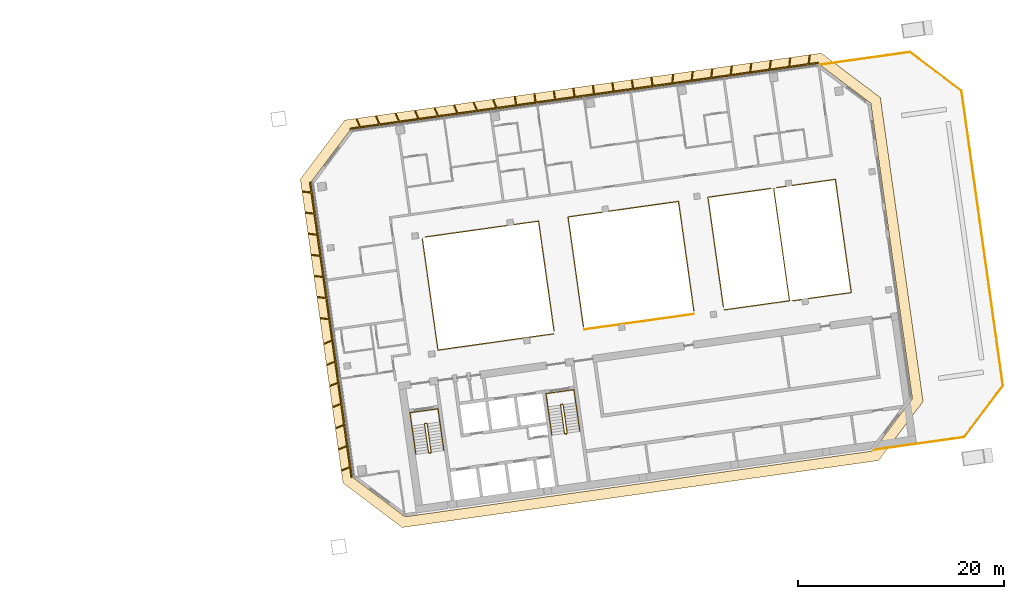
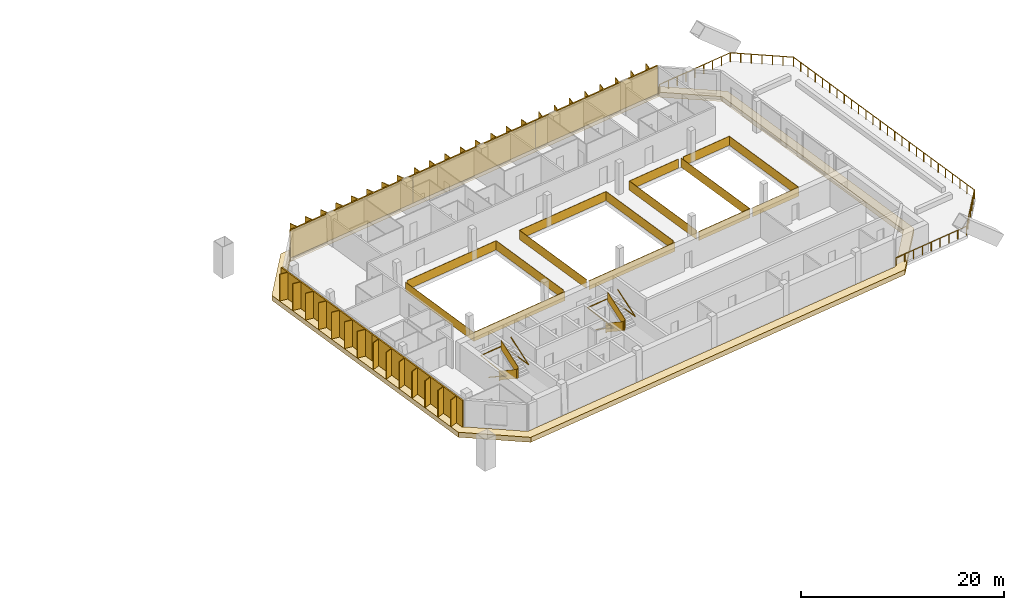
# One storey, part 23 of 23: 12 railings, 5 shading devices, 1 covering.
"""IFC4 building model written with IfcOpenShell, lengths in metres."""

from ifc_helpers import new_model, si_unit, direction, frame, origin, origin_2d, place, context, subcontext, project, spatial, polyline, rectangle, outline, extrude, material, layer, layer_set, type_object, element, save


model = new_model("IFC4")

# Units and contexts
model_context = context("Model", 3, precision=1e-05, world=origin(), true_north=direction((0.0, 1.0)))
body_context = subcontext(model_context, "Body", "Model", "MODEL_VIEW")
ifc_project = project(units=[si_unit("LENGTHUNIT", "METRE"), si_unit("AREAUNIT", "SQUARE_METRE"), si_unit("VOLUMEUNIT", "CUBIC_METRE"), si_unit("PLANEANGLEUNIT", "RADIAN"), si_unit("MASSUNIT", "GRAM", prefix="KILO")], contexts=[model_context])

# Site, building, storey
site_placement = place(None, origin())
site = spatial("IfcSite", under=ifc_project, at=site_placement, CompositionType="ELEMENT")
building_placement = place(site_placement, origin())
building = spatial("IfcBuilding", under=site, at=building_placement, Name="Mirante Cascada Hotel Towers", CompositionType="ELEMENT")
storey_placement = place(building_placement, frame((0.0, 0.0, 180.2)))
storey = spatial("IfcBuildingStorey", under=building, at=storey_placement, Name="L42", CompositionType="ELEMENT", Elevation=180.2)

# Railings
ifc_material_1 = material(Name="Toughened glass with stainless steel handrail", Category="steel")
railing_type_1 = type_object("IfcRailingType", Name="Atrium guard 1100 glass balustrade", PredefinedType="GUARDRAIL", material=ifc_material_1)
railing_1_placement = place(storey_placement, frame((37.864, 6.7125, 0.0)))
element("IfcRailing", 1, at=railing_1_placement, inside=storey, type_object=railing_type_1, Name="GUARD 2-L42-1", PredefinedType="GUARDRAIL", context=body_context, shape_type="SweptSolid", body=[
    extrude(rectangle(XDim=0.048, YDim=0.048, at=origin_2d()), frame((0.0, 0.0, 1.076), z_axis=(0.1391712, -0.9902683, 0.0), x_axis=(0.9902683, 0.1391712, 0.0)), (0.0, 0.0, 1.0), 10.9333),
    extrude(rectangle(XDim=0.02, YDim=1.052, at=origin_2d()), frame((0.0, 0.0, 0.526), z_axis=(0.1391712, -0.9902683, 0.0), x_axis=(0.9902683, 0.1391712, 0.0)), (0.0, 0.0, 1.0), 10.9333),
    extrude(rectangle(XDim=0.048, YDim=0.048, at=origin_2d()), frame((1.5216, -10.8269, 1.076), z_axis=(0.9902672, 0.1391796, 0.0), x_axis=(-0.1391796, 0.9902672, 0.0)), (0.0, 0.0, 1.0), 11.368),
    extrude(rectangle(XDim=0.02, YDim=1.052, at=origin_2d()), frame((1.5216, -10.8269, 0.526), z_axis=(0.9902672, 0.1391796, 0.0), x_axis=(-0.1391796, 0.9902672, 0.0)), (0.0, 0.0, 1.0), 11.368),
])
railing_2_placement = place(storey_placement, frame((53.6138, -2.1147, 0.0)))
element("IfcRailing", 2, at=railing_2_placement, inside=storey, type_object=railing_type_1, Name="GUARD 2-L42-2", PredefinedType="GUARDRAIL", context=body_context, shape_type="SweptSolid", body=[
    extrude(rectangle(XDim=0.048, YDim=0.048, at=origin_2d()), frame((0.0, 0.0, 1.076), z_axis=(0.9902681, 0.1391731, 0.0), x_axis=(-0.1391731, 0.9902681, 0.0)), (0.0, 0.0, 1.0), 10.737),
    extrude(rectangle(XDim=0.02, YDim=1.052, at=origin_2d()), frame((0.0, 0.0, 0.526), z_axis=(0.9902681, 0.1391731, 0.0), x_axis=(-0.1391731, 0.9902681, 0.0)), (0.0, 0.0, 1.0), 10.737),
])
railing_3_placement = place(storey_placement, frame((67.2171, -0.2029, 0.0)))
element("IfcRailing", 3, at=railing_3_placement, inside=storey, type_object=railing_type_1, Name="GUARD 2-L42-3", PredefinedType="GUARDRAIL", context=body_context, shape_type="SweptSolid", body=[
    extrude(rectangle(XDim=0.048, YDim=0.048, at=origin_2d()), frame((0.0, 0.0, 1.076), z_axis=(0.9902681, 0.1391726, 0.0), x_axis=(-0.1391726, 0.9902681, 0.0)), (0.0, 0.0, 1.0), 6.3949),
    extrude(rectangle(XDim=0.02, YDim=1.052, at=origin_2d()), frame((0.0, 0.0, 0.526), z_axis=(0.9902681, 0.1391726, 0.0), x_axis=(-0.1391726, 0.9902681, 0.0)), (0.0, 0.0, 1.0), 6.3949),
    extrude(rectangle(XDim=0.048, YDim=0.048, at=origin_2d()), frame((6.3327, 0.89, 1.076), z_axis=(-0.1391721, 0.9902682, 0.0), x_axis=(-0.9902682, -0.1391721, 0.0)), (0.0, 0.0, 1.0), 11.0001),
    extrude(rectangle(XDim=0.02, YDim=1.052, at=origin_2d()), frame((6.3327, 0.89, 0.526), z_axis=(-0.1391721, 0.9902682, 0.0), x_axis=(-0.9902682, -0.1391721, 0.0)), (0.0, 0.0, 1.0), 11.0001),
    extrude(rectangle(XDim=0.048, YDim=0.048, at=origin_2d()), frame((4.8018, 11.783, 1.076), z_axis=(0.1393237, -0.9902469, 0.0), x_axis=(0.9902469, 0.1393237, 0.0)), (0.0, 0.0, 1.0), 0.0668),
    extrude(rectangle(XDim=0.02, YDim=1.052, at=origin_2d()), frame((4.8018, 11.783, 0.526), z_axis=(0.1393237, -0.9902469, 0.0), x_axis=(0.9902469, 0.1393237, 0.0)), (0.0, 0.0, 1.0), 0.0668),
])
railing_4_placement = place(storey_placement, frame((50.6504, -2.2326, 0.0)))
element("IfcRailing", 4, at=railing_4_placement, inside=storey, type_object=railing_type_1, Name="GUARD 2-L42-4", PredefinedType="GUARDRAIL", context=body_context, shape_type="SweptSolid", body=[
    extrude(rectangle(XDim=0.048, YDim=0.048, at=origin_2d()), frame((0.0, 0.0, 1.076), z_axis=(-0.1391715, 0.9902683, 0.0), x_axis=(-0.9902683, -0.1391715, 0.0)), (0.0, 0.0, 1.0), 10.7544),
    extrude(rectangle(XDim=0.02, YDim=1.052, at=origin_2d()), frame((0.0, 0.0, 0.526), z_axis=(-0.1391715, 0.9902683, 0.0), x_axis=(-0.9902683, -0.1391715, 0.0)), (0.0, 0.0, 1.0), 10.7544),
    extrude(rectangle(XDim=0.048, YDim=0.048, at=origin_2d()), frame((-1.4967, 10.6497, 1.076), z_axis=(-0.9902681, -0.1391729, 0.0), x_axis=(0.1391729, -0.9902681, 0.0)), (0.0, 0.0, 1.0), 11.1408),
    extrude(rectangle(XDim=0.02, YDim=1.052, at=origin_2d()), frame((-1.4967, 10.6497, 0.526), z_axis=(-0.9902681, -0.1391729, 0.0), x_axis=(0.1391729, -0.9902681, 0.0)), (0.0, 0.0, 1.0), 11.1408),
])
railing_5_placement = place(storey_placement, frame((64.2537, -0.3208, 0.0)))
element("IfcRailing", 5, at=railing_5_placement, inside=storey, type_object=railing_type_1, Name="GUARD 2-L42-5", PredefinedType="GUARDRAIL", context=body_context, shape_type="SweptSolid", body=[
    extrude(rectangle(XDim=0.048, YDim=0.048, at=origin_2d()), frame((0.0, 0.0, 1.076), z_axis=(-0.1391715, 0.9902683, 0.0), x_axis=(-0.9902683, -0.1391715, 0.0)), (0.0, 0.0, 1.0), 10.7544),
    extrude(rectangle(XDim=0.02, YDim=1.052, at=origin_2d()), frame((0.0, 0.0, 0.526), z_axis=(-0.1391715, 0.9902683, 0.0), x_axis=(-0.9902683, -0.1391715, 0.0)), (0.0, 0.0, 1.0), 10.7544),
    extrude(rectangle(XDim=0.048, YDim=0.048, at=origin_2d()), frame((-1.4967, 10.6497, 1.076), z_axis=(-0.9902688, -0.1391676, 0.0), x_axis=(0.1391676, -0.9902688, 0.0)), (0.0, 0.0, 1.0), 10.8351),
    extrude(rectangle(XDim=0.02, YDim=1.052, at=origin_2d()), frame((-1.4967, 10.6497, 0.526), z_axis=(-0.9902688, -0.1391676, 0.0), x_axis=(0.1391676, -0.9902688, 0.0)), (0.0, 0.0, 1.0), 10.8351),
    extrude(rectangle(XDim=0.048, YDim=0.048, at=origin_2d()), frame((-12.2264, 9.1418, 1.076), z_axis=(0.1391702, -0.9902685, 0.0), x_axis=(0.9902685, 0.1391702, 0.0)), (0.0, 0.0, 1.0), 10.7545),
    extrude(rectangle(XDim=0.02, YDim=1.052, at=origin_2d()), frame((-12.2264, 9.1418, 0.526), z_axis=(0.1391702, -0.9902685, 0.0), x_axis=(0.9902685, 0.1391702, 0.0)), (0.0, 0.0, 1.0), 10.7545),
])
railing_6_placement = place(storey_placement, frame((71.7194, 11.5884, 0.0)))
element("IfcRailing", 6, at=railing_6_placement, inside=storey, type_object=railing_type_1, Name="GUARD 2-L42-6", PredefinedType="GUARDRAIL", context=body_context, shape_type="SweptSolid", body=[
    extrude(rectangle(XDim=0.048, YDim=0.048, at=origin_2d()), frame((0.0, 0.0, 1.076), z_axis=(-0.9902706, -0.1391554, 0.0), x_axis=(0.1391554, -0.9902706, 0.0)), (0.0, 0.0, 1.0), 6.1485),
    extrude(rectangle(XDim=0.02, YDim=1.052, at=origin_2d()), frame((0.0, 0.0, 0.526), z_axis=(-0.9902706, -0.1391554, 0.0), x_axis=(0.1391554, -0.9902706, 0.0)), (0.0, 0.0, 1.0), 6.1485),
    extrude(rectangle(XDim=0.048, YDim=0.048, at=origin_2d()), frame((-6.0887, -0.8556, 1.076), z_axis=(0.1391715, -0.9902683, 0.0), x_axis=(0.9902683, 0.1391715, 0.0)), (0.0, 0.0, 1.0), 10.7544),
    extrude(rectangle(XDim=0.02, YDim=1.052, at=origin_2d()), frame((-6.0887, -0.8556, 0.526), z_axis=(0.1391715, -0.9902683, 0.0), x_axis=(0.9902683, 0.1391715, 0.0)), (0.0, 0.0, 1.0), 10.7544),
])
railing_7_placement = place(storey_placement, frame((73.8494, 0.6787, 0.0)))
element("IfcRailing", 7, at=railing_7_placement, inside=storey, type_object=railing_type_1, Name="GUARD 2-L42-7", PredefinedType="GUARDRAIL", context=body_context, shape_type="SweptSolid", body=[
    extrude(rectangle(XDim=0.048, YDim=0.048, at=origin_2d()), frame((0.0, 0.0, 1.076), z_axis=(0.9902677, 0.1391755, 0.0), x_axis=(-0.1391755, 0.9902677, 0.0)), (0.0, 0.0, 1.0), 5.7546),
    extrude(rectangle(XDim=0.02, YDim=1.052, at=origin_2d()), frame((0.0, 0.0, 0.526), z_axis=(0.9902677, 0.1391755, 0.0), x_axis=(-0.1391755, 0.9902677, 0.0)), (0.0, 0.0, 1.0), 5.7546),
    extrude(rectangle(XDim=0.048, YDim=0.048, at=origin_2d()), frame((5.6986, 0.8009, 1.076), z_axis=(-0.1391709, 0.9902684, 0.0), x_axis=(-0.9902684, -0.1391709, 0.0)), (0.0, 0.0, 1.0), 11.1),
    extrude(rectangle(XDim=0.02, YDim=1.052, at=origin_2d()), frame((5.6986, 0.8009, 0.526), z_axis=(-0.1391709, 0.9902684, 0.0), x_axis=(-0.9902684, -0.1391709, 0.0)), (0.0, 0.0, 1.0), 11.1),
    extrude(rectangle(XDim=0.048, YDim=0.048, at=origin_2d()), frame((4.1538, 11.7929, 1.076), z_axis=(-0.9902677, -0.1391755, 0.0), x_axis=(0.1391755, -0.9902677, 0.0)), (0.0, 0.0, 1.0), 5.7546),
    extrude(rectangle(XDim=0.02, YDim=1.052, at=origin_2d()), frame((4.1538, 11.7929, 0.526), z_axis=(-0.9902677, -0.1391755, 0.0), x_axis=(0.1391755, -0.9902677, 0.0)), (0.0, 0.0, 1.0), 5.7546),
])

# Covering
ifc_material_2 = material(Name="Precast concrete C40/50 white", Category="concrete")
ifc_layer = layer(ifc_material_2, 0.6)
ifc_layer_set = layer_set([ifc_layer], Name="Precast concrete SUNSHADE band 1000x600")
covering_type = type_object("IfcCoveringType", Name="Precast concrete SUNSHADE band 1000x600", PredefinedType="CLADDING", material=ifc_layer_set)
covering_placement = place(storey_placement, frame((0.0, 0.0, -0.45)))
element("IfcCovering", 8, at=covering_placement, inside=storey, type_object=covering_type, Name="Precast concrete SUNSHADE band T2 L42", PredefinedType="CLADDING", context=body_context, shape_type="SweptSolid", body=[
    extrude(outline(polyline([(25.9953, 12.498), (30.3238, 18.2421), (76.645, 24.7521), (82.3891, 20.4236), (86.5404, -9.1145), (82.2119, -14.8586), (35.8907, -21.3687), (30.1466, -17.0402), (25.9953, 12.498)]), holes=[polyline([(85.4925, -8.8435), (81.4565, 19.8742), (76.374, 23.7042), (30.8731, 17.3094), (27.0432, 12.2269), (31.0792, -16.4908), (36.1617, -20.3208), (81.6626, -13.926), (85.4925, -8.8435)])]), origin(), (0.0, 0.0, 1.0), 0.6),
])

# Railings
ifc_material_3 = material(Name="Painted steel", Category="steel")
railing_type_2 = type_object("IfcRailingType", Name="Stair guard 1100 steel balustrade", PredefinedType="GUARDRAIL", material=ifc_material_3)
railing_8_placement = place(storey_placement, frame((38.2663, -11.2395, 0.0)))
element("IfcRailing", 9, at=railing_8_placement, inside=storey, type_object=railing_type_2, Name="L42 ST2-A stair guard 1", PredefinedType="GUARDRAIL", context=body_context, shape_type="SweptSolid", body=[
    extrude(rectangle(XDim=0.048, YDim=0.048, at=origin_2d()), frame((0.0, 0.0, 1.076), z_axis=(-0.9903326, -0.1387133, 0.0), x_axis=(0.1387133, -0.9903326, 0.0)), (0.0, 0.0, 1.0), 0.1499),
    extrude(rectangle(XDim=0.02, YDim=1.052, at=origin_2d()), frame((0.0, 0.0, 0.526), z_axis=(-0.9903326, -0.1387133, 0.0), x_axis=(0.1387133, -0.9903326, 0.0)), (0.0, 0.0, 1.0), 0.1499),
    extrude(rectangle(XDim=0.048, YDim=0.048, at=origin_2d()), frame((-0.1485, -0.0208, 1.076), z_axis=(-0.6020331, -0.7984711, 0.0), x_axis=(0.7984711, -0.6020331, 0.0)), (0.0, 0.9253398, 0.3791387), 0.1866),
    extrude(rectangle(XDim=0.02, YDim=1.052, at=origin_2d()), frame((-0.1485, -0.0208, 0.526), z_axis=(-0.6020331, -0.7984711, 0.0), x_axis=(0.7984711, -0.6020331, 0.0)), (0.0, 0.9253398, 0.3791387), 0.1866),
    extrude(rectangle(XDim=0.048, YDim=0.048, at=origin_2d()), frame((-0.1911, -0.0773, 1.2487), z_axis=(0.139176, -0.9902677, 0.0), x_axis=(0.9902677, 0.139176, 0.0)), (0.0, 0.5250212, 0.8510891), 3.29),
    extrude(rectangle(XDim=0.02, YDim=1.052, at=origin_2d()), frame((-0.1911, -0.0773, 0.6987), z_axis=(0.139176, -0.9902677, 0.0), x_axis=(0.9902677, 0.139176, 0.0)), (0.0, 0.5250212, 0.8510891), 3.29),
    extrude(rectangle(XDim=0.048, YDim=0.048, at=origin_2d()), frame((0.1986, -2.8501, 2.976), z_axis=(0.9944948, -0.1047858, 0.0), x_axis=(0.1047858, 0.9944948, 0.0)), (0.0, 0.0, 1.0), 0.2061),
    extrude(rectangle(XDim=0.02, YDim=1.052, at=origin_2d()), frame((0.1986, -2.8501, 2.426), z_axis=(0.9944948, -0.1047858, 0.0), x_axis=(0.1047858, 0.9944948, 0.0)), (0.0, 0.0, 1.0), 0.2061),
    extrude(rectangle(XDim=0.048, YDim=0.048, at=origin_2d()), frame((0.4036, -2.8717, 2.976), z_axis=(-0.9902408, -0.1393672, 0.0), x_axis=(0.1393672, -0.9902408, 0.0)), (0.0, 0.0, 1.0), 0.15),
    extrude(rectangle(XDim=0.02, YDim=1.052, at=origin_2d()), frame((0.4036, -2.8717, 2.426), z_axis=(-0.9902408, -0.1393672, 0.0), x_axis=(0.1393672, -0.9902408, 0.0)), (0.0, 0.0, 1.0), 0.15),
    extrude(rectangle(XDim=0.048, YDim=0.048, at=origin_2d()), frame((0.2551, -2.8926, 2.976), z_axis=(0.9270311, 0.3749843, 0.0), x_axis=(-0.3749843, 0.9270311, 0.0)), (0.0, 0.6421903, 0.7665452), 0.2689),
    extrude(rectangle(XDim=0.02, YDim=1.052, at=origin_2d()), frame((0.2551, -2.8926, 2.426), z_axis=(0.9270311, 0.3749843, 0.0), x_axis=(-0.3749843, 0.9270311, 0.0)), (0.0, 0.6421903, 0.7665452), 0.2689),
    extrude(rectangle(XDim=0.048, YDim=0.048, at=origin_2d()), frame((0.4462, -2.8153, 3.1487), z_axis=(-0.139176, 0.9902677, 0.0), x_axis=(-0.9902677, -0.139176, 0.0)), (0.0, 0.5250212, 0.8510891), 3.29),
    extrude(rectangle(XDim=0.02, YDim=1.052, at=origin_2d()), frame((0.4462, -2.8153, 2.5987), z_axis=(-0.139176, 0.9902677, 0.0), x_axis=(-0.9902677, -0.139176, 0.0)), (0.0, 0.5250212, 0.8510891), 3.29),
])
railing_9_placement = place(storey_placement, frame((51.4864, -9.3815, 0.0)))
element("IfcRailing", 10, at=railing_9_placement, inside=storey, type_object=railing_type_2, Name="L42 ST2-B stair guard 1", PredefinedType="GUARDRAIL", context=body_context, shape_type="SweptSolid", body=[
    extrude(rectangle(XDim=0.048, YDim=0.048, at=origin_2d()), frame((0.0, 0.0, 1.076), z_axis=(-0.9902408, -0.1393672, 0.0), x_axis=(0.1393672, -0.9902408, 0.0)), (0.0, 0.0, 1.0), 0.15),
    extrude(rectangle(XDim=0.02, YDim=1.052, at=origin_2d()), frame((0.0, 0.0, 0.526), z_axis=(-0.9902408, -0.1393672, 0.0), x_axis=(0.1393672, -0.9902408, 0.0)), (0.0, 0.0, 1.0), 0.15),
    extrude(rectangle(XDim=0.048, YDim=0.048, at=origin_2d()), frame((-0.1485, -0.0209, 1.076), z_axis=(-0.6020331, -0.7984711, 0.0), x_axis=(0.7984711, -0.6020331, 0.0)), (0.0, 0.9253398, 0.3791387), 0.1866),
    extrude(rectangle(XDim=0.02, YDim=1.052, at=origin_2d()), frame((-0.1485, -0.0209, 0.526), z_axis=(-0.6020331, -0.7984711, 0.0), x_axis=(0.7984711, -0.6020331, 0.0)), (0.0, 0.9253398, 0.3791387), 0.1866),
    extrude(rectangle(XDim=0.048, YDim=0.048, at=origin_2d()), frame((-0.1911, -0.0774, 1.2487), z_axis=(0.139181, -0.990267, 0.0), x_axis=(0.990267, 0.139181, 0.0)), (0.0, 0.5250347, 0.8510808), 3.2899),
    extrude(rectangle(XDim=0.02, YDim=1.052, at=origin_2d()), frame((-0.1911, -0.0774, 0.6987), z_axis=(0.139181, -0.990267, 0.0), x_axis=(0.990267, 0.139181, 0.0)), (0.0, 0.5250347, 0.8510808), 3.2899),
    extrude(rectangle(XDim=0.048, YDim=0.048, at=origin_2d()), frame((0.1986, -2.8501, 2.976), z_axis=(0.9944441, -0.1052656, 0.0), x_axis=(0.1052656, 0.9944441, 0.0)), (0.0, 0.0, 1.0), 0.2061),
    extrude(rectangle(XDim=0.02, YDim=1.052, at=origin_2d()), frame((0.1986, -2.8501, 2.426), z_axis=(0.9944441, -0.1052656, 0.0), x_axis=(0.1052656, 0.9944441, 0.0)), (0.0, 0.0, 1.0), 0.2061),
    extrude(rectangle(XDim=0.048, YDim=0.048, at=origin_2d()), frame((0.4036, -2.8718, 2.976), z_axis=(-0.9902408, -0.1393672, 0.0), x_axis=(0.1393672, -0.9902408, 0.0)), (0.0, 0.0, 1.0), 0.15),
    extrude(rectangle(XDim=0.02, YDim=1.052, at=origin_2d()), frame((0.4036, -2.8718, 2.426), z_axis=(-0.9902408, -0.1393672, 0.0), x_axis=(0.1393672, -0.9902408, 0.0)), (0.0, 0.0, 1.0), 0.15),
    extrude(rectangle(XDim=0.048, YDim=0.048, at=origin_2d()), frame((0.2551, -2.8927, 2.976), z_axis=(0.9268624, 0.3754011, 0.0), x_axis=(-0.3754011, 0.9268624, 0.0)), (0.0, 0.6421217, 0.7666028), 0.269),
    extrude(rectangle(XDim=0.02, YDim=1.052, at=origin_2d()), frame((0.2551, -2.8927, 2.426), z_axis=(0.9268624, 0.3754011, 0.0), x_axis=(-0.3754011, 0.9268624, 0.0)), (0.0, 0.6421217, 0.7666028), 0.269),
    extrude(rectangle(XDim=0.048, YDim=0.048, at=origin_2d()), frame((0.4462, -2.8153, 3.1487), z_axis=(-0.139181, 0.990267, 0.0), x_axis=(-0.990267, -0.139181, 0.0)), (0.0, 0.5250347, 0.8510808), 3.2899),
    extrude(rectangle(XDim=0.02, YDim=1.052, at=origin_2d()), frame((0.4462, -2.8153, 2.5987), z_axis=(-0.139181, 0.990267, 0.0), x_axis=(-0.990267, -0.139181, 0.0)), (0.0, 0.5250347, 0.8510808), 3.2899),
])
ifc_material_4 = material(Name="Painted steel", Category="steel")
railing_type_3 = type_object("IfcRailingType", Name="Stair handrail 900 steel tube", PredefinedType="HANDRAIL", material=ifc_material_4)
railing_10_placement = place(storey_placement, frame((36.8374, -11.4908, 0.1727)))
element("IfcRailing", 11, at=railing_10_placement, inside=storey, type_object=railing_type_3, Name="L42 ST2-A stair handrail 1", PredefinedType="HANDRAIL", context=body_context, shape_type="SweptSolid", body=[
    extrude(rectangle(XDim=0.048, YDim=0.048, at=origin_2d()), frame((0.0, 0.0, 0.876), z_axis=(0.139181, -0.990267, 0.0), x_axis=(0.990267, 0.139181, 0.0)), (0.0, 0.5250347, 0.8510808), 3.2899),
    extrude(rectangle(XDim=0.048, YDim=0.048, at=origin_2d()), frame((0.3897, -2.7727, 2.6033), z_axis=(-0.1391707, 0.9902684, 0.0), x_axis=(-0.9902684, -0.1391707, 0.0)), (0.0, 0.0420846, 0.999114), 4.1036),
    extrude(rectangle(XDim=0.048, YDim=0.048, at=origin_2d()), frame((-0.1809, 1.2874, 2.776), z_axis=(0.9902691, 0.1391657, 0.0), x_axis=(-0.1391657, 0.9902691, 0.0)), (0.0, 0.0, 1.0), 2.75),
    extrude(rectangle(XDim=0.048, YDim=0.048, at=origin_2d()), frame((2.5423, 1.6701, 2.776), z_axis=(0.1391707, -0.9902684, 0.0), x_axis=(0.9902684, 0.1391707, 0.0)), (0.0, 0.0, 1.0), 4.1),
    extrude(rectangle(XDim=0.048, YDim=0.048, at=origin_2d()), frame((3.1129, -2.39, 2.776), z_axis=(-0.139181, 0.990267, 0.0), x_axis=(-0.990267, -0.139181, 0.0)), (0.0, 0.5250347, 0.8510808), 3.2899),
])
railing_11_placement = place(storey_placement, frame((50.0575, -9.6328, 0.1727)))
element("IfcRailing", 12, at=railing_11_placement, inside=storey, type_object=railing_type_3, Name="L42 ST2-B stair handrail 1", PredefinedType="HANDRAIL", context=body_context, shape_type="SweptSolid", body=[
    extrude(rectangle(XDim=0.048, YDim=0.048, at=origin_2d()), frame((0.0, 0.0, 0.876), z_axis=(0.139176, -0.9902677, 0.0), x_axis=(0.9902677, 0.139176, 0.0)), (0.0, 0.5250212, 0.8510891), 3.29),
    extrude(rectangle(XDim=0.048, YDim=0.048, at=origin_2d()), frame((0.3897, -2.7728, 2.6033), z_axis=(-0.1391707, 0.9902684, 0.0), x_axis=(-0.9902684, -0.1391707, 0.0)), (0.0, 0.0420846, 0.999114), 4.1036),
    extrude(rectangle(XDim=0.048, YDim=0.048, at=origin_2d()), frame((-0.1809, 1.2873, 2.776), z_axis=(0.9902641, 0.1392013, 0.0), x_axis=(-0.1392013, 0.9902641, 0.0)), (0.0, 0.0, 1.0), 2.75),
    extrude(rectangle(XDim=0.048, YDim=0.048, at=origin_2d()), frame((2.5423, 1.6701, 2.776), z_axis=(0.1391707, -0.9902684, 0.0), x_axis=(0.9902684, 0.1391707, 0.0)), (0.0, 0.0, 1.0), 4.1),
    extrude(rectangle(XDim=0.048, YDim=0.048, at=origin_2d()), frame((3.1129, -2.39, 2.776), z_axis=(-0.139181, 0.990267, 0.0), x_axis=(-0.990267, -0.139181, 0.0)), (0.0, 0.5250347, 0.8510808), 3.2899),
])
ifc_material_5 = material(Name="Stainless steel AISI 316", Category="steel")
railing_type_4 = type_object("IfcRailingType", Name="Terrace guard 1100", PredefinedType="GUARDRAIL", material=ifc_material_5)
railing_12_placement = place(storey_placement, frame((76.5149, 23.623, 0.0)))
element("IfcRailing", 13, at=railing_12_placement, inside=storey, type_object=railing_type_4, Name="GUARD T2 L42 terrace 1", PredefinedType="GUARDRAIL", context=body_context, shape_type="SweptSolid", body=[
    extrude(outline(polyline([(0.025, 0.0104), (0.0104, 0.025), (-0.0104, 0.025), (-0.025, 0.0104), (-0.025, -0.0104), (-0.0104, -0.025), (0.0104, -0.025), (0.025, -0.0104), (0.025, 0.0104)])), frame((0.0, 0.0, 1.075), z_axis=(0.9902688, 0.1391681, 0.0), x_axis=(-0.1391681, 0.9902688, 0.0)), (0.0, 0.0, 1.0), 8.8303),
    extrude(outline(polyline([(0.025, 0.0104), (0.0104, 0.025), (-0.0104, 0.025), (-0.025, 0.0104), (-0.025, -0.0104), (-0.0104, -0.025), (0.0104, -0.025), (0.025, -0.0104), (0.025, 0.0104)])), frame((8.7444, 1.2289, 1.075), z_axis=(0.7986396, -0.6018096, 0.0), x_axis=(0.6018096, 0.7986396, 0.0)), (0.0, 0.0, 1.0), 6.2811),
    extrude(outline(polyline([(0.025, 0.0104), (0.0104, 0.025), (-0.0104, 0.025), (-0.025, 0.0104), (-0.025, -0.0104), (-0.0104, -0.025), (0.0104, -0.025), (0.025, -0.0104), (0.025, 0.0104)])), frame((13.7607, -2.5511, 1.075), z_axis=(0.1391731, -0.9902681, 0.0), x_axis=(0.9902681, 0.1391731, 0.0)), (0.0, 0.0, 1.0), 28.9172),
    extrude(outline(polyline([(0.025, 0.0104), (0.0104, 0.025), (-0.0104, 0.025), (-0.025, 0.0104), (-0.025, -0.0104), (-0.0104, -0.025), (0.0104, -0.025), (0.025, -0.0104), (0.025, 0.0104)])), frame((17.7852, -31.1869, 1.075), z_axis=(-0.6018198, -0.7986319, 0.0), x_axis=(0.7986319, -0.6018198, 0.0)), (0.0, 0.0, 1.0), 6.2811),
    extrude(outline(polyline([(0.025, 0.0104), (0.0104, 0.025), (-0.0104, 0.025), (-0.025, 0.0104), (-0.025, -0.0104), (-0.0104, -0.025), (0.0104, -0.025), (0.025, -0.0104), (0.025, 0.0104)])), frame((14.0051, -36.2032, 1.075), z_axis=(-0.9902686, -0.1391696, 0.0), x_axis=(0.1391696, -0.9902686, 0.0)), (0.0, 0.0, 1.0), 8.8302),
    extrude(rectangle(XDim=0.05, YDim=0.05, at=origin_2d()), origin(), (0.0, 0.0, 1.0), 1.05),
    extrude(rectangle(XDim=0.05, YDim=0.05, at=origin_2d()), frame((1.093, 0.1536, 0.0)), (0.0, 0.0, 1.0), 1.05),
    extrude(rectangle(XDim=0.05, YDim=0.05, at=origin_2d()), frame((2.1861, 0.3072, 0.0)), (0.0, 0.0, 1.0), 1.05),
    extrude(rectangle(XDim=0.05, YDim=0.05, at=origin_2d()), frame((3.2791, 0.4608, 0.0)), (0.0, 0.0, 1.0), 1.05),
    extrude(rectangle(XDim=0.05, YDim=0.05, at=origin_2d()), frame((4.3722, 0.6144, 0.0)), (0.0, 0.0, 1.0), 1.05),
    extrude(rectangle(XDim=0.05, YDim=0.05, at=origin_2d()), frame((5.4652, 0.7681, 0.0)), (0.0, 0.0, 1.0), 1.05),
    extrude(rectangle(XDim=0.05, YDim=0.05, at=origin_2d()), frame((6.5583, 0.9217, 0.0)), (0.0, 0.0, 1.0), 1.05),
    extrude(rectangle(XDim=0.05, YDim=0.05, at=origin_2d()), frame((7.6513, 1.0753, 0.0)), (0.0, 0.0, 1.0), 1.05),
    extrude(rectangle(XDim=0.05, YDim=0.05, at=origin_2d()), frame((8.7444, 1.2289, 0.0)), (0.0, 0.0, 1.0), 1.05),
    extrude(rectangle(XDim=0.05, YDim=0.05, at=origin_2d()), frame((9.5804, 0.5989, 0.0)), (0.0, 0.0, 1.0), 1.05),
    extrude(rectangle(XDim=0.05, YDim=0.05, at=origin_2d()), frame((10.4165, -0.0311, 0.0)), (0.0, 0.0, 1.0), 1.05),
    extrude(rectangle(XDim=0.05, YDim=0.05, at=origin_2d()), frame((11.2526, -0.6611, 0.0)), (0.0, 0.0, 1.0), 1.05),
    extrude(rectangle(XDim=0.05, YDim=0.05, at=origin_2d()), frame((12.0886, -1.2911, 0.0)), (0.0, 0.0, 1.0), 1.05),
    extrude(rectangle(XDim=0.05, YDim=0.05, at=origin_2d()), frame((12.9246, -1.9211, 0.0)), (0.0, 0.0, 1.0), 1.05),
    extrude(rectangle(XDim=0.05, YDim=0.05, at=origin_2d()), frame((13.7607, -2.5511, 0.0)), (0.0, 0.0, 1.0), 1.05),
    extrude(rectangle(XDim=0.05, YDim=0.05, at=origin_2d()), frame((13.9217, -3.6965, 0.0)), (0.0, 0.0, 1.0), 1.05),
    extrude(rectangle(XDim=0.05, YDim=0.05, at=origin_2d()), frame((14.0827, -4.842, 0.0)), (0.0, 0.0, 1.0), 1.05),
    extrude(rectangle(XDim=0.05, YDim=0.05, at=origin_2d()), frame((14.2436, -5.9874, 0.0)), (0.0, 0.0, 1.0), 1.05),
    extrude(rectangle(XDim=0.05, YDim=0.05, at=origin_2d()), frame((14.4046, -7.1328, 0.0)), (0.0, 0.0, 1.0), 1.05),
    extrude(rectangle(XDim=0.05, YDim=0.05, at=origin_2d()), frame((14.5656, -8.2783, 0.0)), (0.0, 0.0, 1.0), 1.05),
    extrude(rectangle(XDim=0.05, YDim=0.05, at=origin_2d()), frame((14.7266, -9.4237, 0.0)), (0.0, 0.0, 1.0), 1.05),
    extrude(rectangle(XDim=0.05, YDim=0.05, at=origin_2d()), frame((14.8876, -10.5691, 0.0)), (0.0, 0.0, 1.0), 1.05),
    extrude(rectangle(XDim=0.05, YDim=0.05, at=origin_2d()), frame((15.0485, -11.7146, 0.0)), (0.0, 0.0, 1.0), 1.05),
    extrude(rectangle(XDim=0.05, YDim=0.05, at=origin_2d()), frame((15.2095, -12.86, 0.0)), (0.0, 0.0, 1.0), 1.05),
    extrude(rectangle(XDim=0.05, YDim=0.05, at=origin_2d()), frame((15.3705, -14.0054, 0.0)), (0.0, 0.0, 1.0), 1.05),
    extrude(rectangle(XDim=0.05, YDim=0.05, at=origin_2d()), frame((15.5315, -15.1509, 0.0)), (0.0, 0.0, 1.0), 1.05),
    extrude(rectangle(XDim=0.05, YDim=0.05, at=origin_2d()), frame((15.6925, -16.2963, 0.0)), (0.0, 0.0, 1.0), 1.05),
    extrude(rectangle(XDim=0.05, YDim=0.05, at=origin_2d()), frame((15.8534, -17.4417, 0.0)), (0.0, 0.0, 1.0), 1.05),
    extrude(rectangle(XDim=0.05, YDim=0.05, at=origin_2d()), frame((16.0144, -18.5871, 0.0)), (0.0, 0.0, 1.0), 1.05),
    extrude(rectangle(XDim=0.05, YDim=0.05, at=origin_2d()), frame((16.1754, -19.7326, 0.0)), (0.0, 0.0, 1.0), 1.05),
    extrude(rectangle(XDim=0.05, YDim=0.05, at=origin_2d()), frame((16.3364, -20.878, 0.0)), (0.0, 0.0, 1.0), 1.05),
    extrude(rectangle(XDim=0.05, YDim=0.05, at=origin_2d()), frame((16.4974, -22.0234, 0.0)), (0.0, 0.0, 1.0), 1.05),
    extrude(rectangle(XDim=0.05, YDim=0.05, at=origin_2d()), frame((16.6583, -23.1689, 0.0)), (0.0, 0.0, 1.0), 1.05),
    extrude(rectangle(XDim=0.05, YDim=0.05, at=origin_2d()), frame((16.8193, -24.3143, 0.0)), (0.0, 0.0, 1.0), 1.05),
    extrude(rectangle(XDim=0.05, YDim=0.05, at=origin_2d()), frame((16.9803, -25.4597, 0.0)), (0.0, 0.0, 1.0), 1.05),
    extrude(rectangle(XDim=0.05, YDim=0.05, at=origin_2d()), frame((17.1413, -26.6052, 0.0)), (0.0, 0.0, 1.0), 1.05),
    extrude(rectangle(XDim=0.05, YDim=0.05, at=origin_2d()), frame((17.3023, -27.7506, 0.0)), (0.0, 0.0, 1.0), 1.05),
    extrude(rectangle(XDim=0.05, YDim=0.05, at=origin_2d()), frame((17.4632, -28.896, 0.0)), (0.0, 0.0, 1.0), 1.05),
    extrude(rectangle(XDim=0.05, YDim=0.05, at=origin_2d()), frame((17.6242, -30.0415, 0.0)), (0.0, 0.0, 1.0), 1.05),
    extrude(rectangle(XDim=0.05, YDim=0.05, at=origin_2d()), frame((17.7852, -31.1869, 0.0)), (0.0, 0.0, 1.0), 1.05),
    extrude(rectangle(XDim=0.05, YDim=0.05, at=origin_2d()), frame((17.1552, -32.023, 0.0)), (0.0, 0.0, 1.0), 1.05),
    extrude(rectangle(XDim=0.05, YDim=0.05, at=origin_2d()), frame((16.5252, -32.859, 0.0)), (0.0, 0.0, 1.0), 1.05),
    extrude(rectangle(XDim=0.05, YDim=0.05, at=origin_2d()), frame((15.8952, -33.695, 0.0)), (0.0, 0.0, 1.0), 1.05),
    extrude(rectangle(XDim=0.05, YDim=0.05, at=origin_2d()), frame((15.2651, -34.5311, 0.0)), (0.0, 0.0, 1.0), 1.05),
    extrude(rectangle(XDim=0.05, YDim=0.05, at=origin_2d()), frame((14.6351, -35.3672, 0.0)), (0.0, 0.0, 1.0), 1.05),
    extrude(rectangle(XDim=0.05, YDim=0.05, at=origin_2d()), frame((14.0051, -36.2032, 0.0)), (0.0, 0.0, 1.0), 1.05),
    extrude(rectangle(XDim=0.05, YDim=0.05, at=origin_2d()), frame((12.9121, -36.3568, 0.0)), (0.0, 0.0, 1.0), 1.05),
    extrude(rectangle(XDim=0.05, YDim=0.05, at=origin_2d()), frame((11.819, -36.5104, 0.0)), (0.0, 0.0, 1.0), 1.05),
    extrude(rectangle(XDim=0.05, YDim=0.05, at=origin_2d()), frame((10.726, -36.664, 0.0)), (0.0, 0.0, 1.0), 1.05),
    extrude(rectangle(XDim=0.05, YDim=0.05, at=origin_2d()), frame((9.633, -36.8176, 0.0)), (0.0, 0.0, 1.0), 1.05),
    extrude(rectangle(XDim=0.05, YDim=0.05, at=origin_2d()), frame((8.5399, -36.9713, 0.0)), (0.0, 0.0, 1.0), 1.05),
    extrude(rectangle(XDim=0.05, YDim=0.05, at=origin_2d()), frame((7.4469, -37.1249, 0.0)), (0.0, 0.0, 1.0), 1.05),
    extrude(rectangle(XDim=0.05, YDim=0.05, at=origin_2d()), frame((6.3538, -37.2785, 0.0)), (0.0, 0.0, 1.0), 1.05),
    extrude(rectangle(XDim=0.05, YDim=0.05, at=origin_2d()), frame((5.2608, -37.4321, 0.0)), (0.0, 0.0, 1.0), 1.05),
])

# Shading devices
ifc_material_6 = material(Name="White precast concrete C50/60 fin", Category="concrete")
shading_device_type = type_object("IfcShadingDeviceType", Name="Vertical fin set 4500x900", PredefinedType="USERDEFINED", material=ifc_material_6)
shading_device_1_placement = place(storey_placement, origin())
element("IfcShadingDevice", 14, at=shading_device_1_placement, inside=storey, type_object=shading_device_type, Name="FIN T2 L42 front 1", ObjectType="FIN", PredefinedType="USERDEFINED", context=body_context, shape_type="SweptSolid", body=[
    extrude(outline(polyline([(62.2904, 22.6933), (62.1884, 21.862), (64.0022, 22.1169), (64.1069, 22.9694), (64.1863, 22.9597), (64.0842, 22.1284), (65.8981, 22.3833), (66.0028, 23.2359), (66.0822, 23.2261), (65.9801, 22.3949), (67.794, 22.6498), (67.8986, 23.5023), (67.978, 23.4926), (67.876, 22.6613), (69.6898, 22.9162), (69.7945, 23.7688), (69.8739, 23.759), (69.7718, 22.9278), (71.5857, 23.1827), (71.6904, 24.0352), (71.7698, 24.0255), (71.6677, 23.1942), (73.4816, 23.4491), (73.5862, 24.3017), (73.6656, 24.2919), (73.5636, 23.4607), (75.3774, 23.7156), (75.4821, 24.5681), (75.5615, 24.5584), (75.4594, 23.7271), (76.3531, 23.8527), (76.374, 23.7042), (61.207, 21.5726), (61.1862, 21.7211), (62.1063, 21.8505), (62.211, 22.703), (62.2904, 22.6933)])), origin(), (0.0, 0.0, 1.0), 3.35),
])
shading_device_2_placement = place(storey_placement, origin())
element("IfcShadingDevice", 15, at=shading_device_2_placement, inside=storey, type_object=shading_device_type, Name="FIN T2 L42 front 2", ObjectType="FIN", PredefinedType="USERDEFINED", context=body_context, shape_type="SweptSolid", body=[
    extrude(outline(polyline([(46.8884, 20.5701), (47.0067, 19.7283), (48.8234, 19.9837), (48.7051, 20.8254), (48.7843, 20.8365), (48.9026, 19.9948), (50.7193, 20.2501), (50.601, 21.0918), (50.6802, 21.103), (50.7985, 20.2612), (52.6151, 20.5165), (52.4968, 21.3583), (52.5761, 21.3694), (52.6943, 20.5277), (54.511, 20.783), (54.3927, 21.6247), (54.4719, 21.6359), (54.5902, 20.7941), (56.4069, 21.0494), (56.2886, 21.8912), (56.3678, 21.9023), (56.4861, 21.0606), (58.3027, 21.3159), (58.1844, 22.1576), (58.2637, 22.1687), (58.382, 21.327), (60.1986, 21.5823), (60.0803, 22.4241), (60.1595, 22.4352), (60.2778, 21.5935), (61.1862, 21.7211), (61.207, 21.5726), (46.0401, 19.441), (46.0192, 19.5895), (46.9275, 19.7172), (46.8092, 20.5589), (46.8884, 20.5701)])), origin(), (0.0, 0.0, 1.0), 3.35),
])
shading_device_3_placement = place(storey_placement, origin())
element("IfcShadingDevice", 16, at=shading_device_3_placement, inside=storey, type_object=shading_device_type, Name="FIN T2 L42 front 3", ObjectType="FIN", PredefinedType="USERDEFINED", context=body_context, shape_type="SweptSolid", body=[
    extrude(outline(polyline([(31.4923, 18.3858), (31.8279, 17.5951), (33.6418, 17.85), (33.3145, 18.621), (33.3882, 18.6522), (33.7238, 17.8615), (35.5376, 18.1165), (35.2104, 18.8874), (35.284, 18.9187), (35.6197, 18.128), (37.4335, 18.3829), (37.1063, 19.1538), (37.1799, 19.1851), (37.5155, 18.3944), (39.3294, 18.6494), (39.0021, 19.4203), (39.0758, 19.4516), (39.4114, 18.6609), (41.2252, 18.9158), (40.898, 19.6867), (40.9716, 19.718), (41.3073, 18.9273), (43.1211, 19.1823), (42.7939, 19.9532), (42.8675, 19.9844), (43.2031, 19.1938), (45.017, 19.4487), (44.6897, 20.2196), (44.7634, 20.2509), (45.099, 19.4602), (46.0192, 19.5895), (46.0401, 19.441), (30.8731, 17.3094), (30.8522, 17.458), (31.7459, 17.5836), (31.4187, 18.3545), (31.4923, 18.3858)])), origin(), (0.0, 0.0, 1.0), 3.35),
])
shading_device_4_placement = place(storey_placement, origin())
element("IfcShadingDevice", 17, at=shading_device_4_placement, inside=storey, type_object=shading_device_type, Name="FIN T2 L42 inner 1", ObjectType="FIN", PredefinedType="USERDEFINED", context=body_context, shape_type="SweptSolid", body=[
    extrude(outline(polyline([(27.9296, -0.9708), (28.7609, -1.0729), (28.4841, 0.8963), (27.6316, 1.001), (27.6413, 1.0804), (28.4726, 0.9784), (28.1958, 2.9476), (27.3433, 3.0523), (27.353, 3.1317), (28.1843, 3.0296), (27.9076, 4.9989), (27.055, 5.1036), (27.0648, 5.183), (27.896, 5.0809), (27.6193, 7.0502), (26.7667, 7.1548), (26.7765, 7.2342), (27.6077, 7.1322), (27.331, 9.1014), (26.4784, 9.2061), (26.4882, 9.2855), (27.3195, 9.1834), (27.0427, 11.1527), (26.1901, 11.2574), (26.1999, 11.3368), (27.0312, 11.2347), (26.8947, 12.2061), (27.0432, 12.2269), (29.0612, -2.1319), (28.9127, -2.1528), (28.7724, -1.1549), (27.9199, -1.0502), (27.9296, -0.9708)])), origin(), (0.0, 0.0, 1.0), 3.35),
])
shading_device_5_placement = place(storey_placement, origin())
element("IfcShadingDevice", 18, at=shading_device_5_placement, inside=storey, type_object=shading_device_type, Name="FIN T2 L42 inner 2", ObjectType="FIN", PredefinedType="USERDEFINED", context=body_context, shape_type="SweptSolid", body=[
    extrude(outline(polyline([(29.992, -15.7939), (30.7826, -15.4583), (30.5059, -13.4891), (29.7349, -13.8163), (29.7037, -13.7427), (30.4943, -13.4071), (30.2176, -11.4378), (29.4466, -11.765), (29.4154, -11.6914), (30.2061, -11.3558), (29.9293, -9.3865), (29.1584, -9.7138), (29.1271, -9.6401), (29.9178, -9.3045), (29.641, -7.3353), (28.8701, -7.6625), (28.8388, -7.5889), (29.6295, -7.2532), (29.3527, -5.284), (28.5818, -5.6112), (28.5505, -5.5376), (29.3412, -5.202), (29.0644, -3.2327), (28.2935, -3.56), (28.2622, -3.4863), (29.0529, -3.1507), (28.9127, -2.1528), (29.0612, -2.1319), (31.0792, -16.4908), (30.9307, -16.5117), (30.7942, -15.5403), (30.0232, -15.8676), (29.992, -15.7939)])), origin(), (0.0, 0.0, 1.0), 3.35),
])

save(model, "model.ifc")
